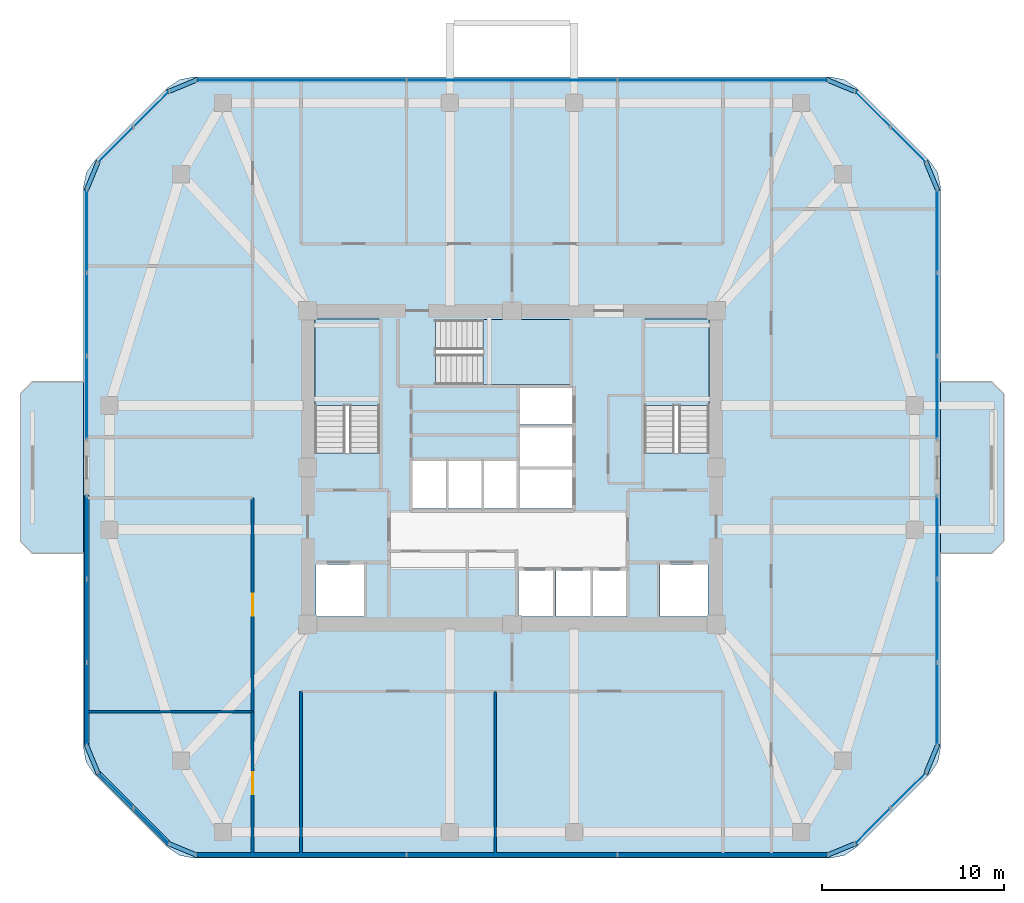
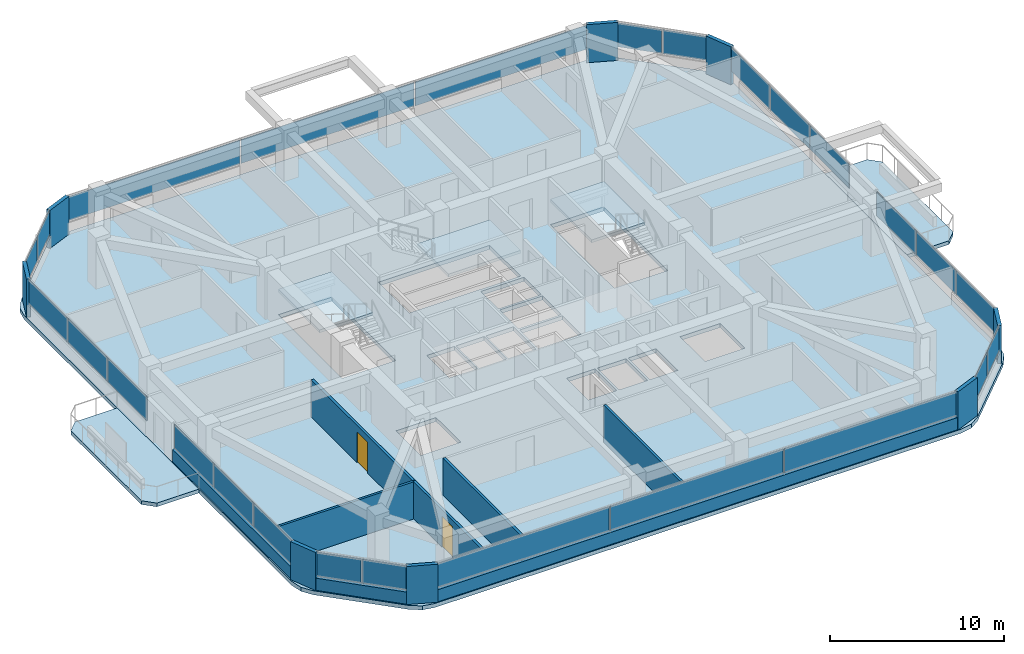
# One storey, part 7 of 12: 34 plates, 8 walls, 6 slabs, 2 doors, 2 openings, 13 elements without a shape of their own.
"""IFC4 building model written with IfcOpenShell, lengths in metres."""

from ifc_helpers import new_model, si_unit, derived_unit, direction, frame, frame_2d, origin, origin_2d, place, context, subcontext, project, spatial, polyline, rectangle, outline, extrude, material, layer, layer_set, type_object, element, fill, aggregate, save


model = new_model("IFC4")

# Units and contexts
model_context = context("Model", 3, precision=1e-05, world=origin(), true_north=direction((0.0, 1.0)))
body_context = subcontext(model_context, "Body", "Model", "MODEL_VIEW")
ifc_project = project(units=[si_unit("LENGTHUNIT", "METRE"), si_unit("AREAUNIT", "SQUARE_METRE"), si_unit("VOLUMEUNIT", "CUBIC_METRE"), si_unit("PLANEANGLEUNIT", "RADIAN"), si_unit("MASSUNIT", "GRAM", prefix="KILO"), derived_unit("THERMALTRANSMITTANCEUNIT", [(si_unit("POWERUNIT", "WATT"), 1), (si_unit("LENGTHUNIT", "METRE"), -2), (si_unit("THERMODYNAMICTEMPERATUREUNIT", "KELVIN"), -1)])], contexts=[model_context])

# Site, building, storey
site_placement = place(None, origin())
site = spatial("IfcSite", under=ifc_project, at=site_placement, CompositionType="ELEMENT")
building_placement = place(site_placement, origin())
building = spatial("IfcBuilding", under=site, at=building_placement, Name="Koralith Skygarden Medical Center", CompositionType="ELEMENT")
storey_placement = place(building_placement, frame((0.0, 0.0, 170.820068359375)))
storey = spatial("IfcBuildingStorey", under=building, at=storey_placement, Name="L44", CompositionType="ELEMENT", Elevation=170.820068359375)

# Curtain wall, plates
ifc_material_1 = material(Name="Clear Laminated Glass", Category="glass")
curtain_wall_type = type_object("IfcCurtainWallType", Name="CW-4 Zone 3 Waist High-Wind Curtain Wall", PredefinedType="NOTDEFINED", material=ifc_material_1)
curtain_wall_1_placement = place(storey_placement, origin())
curtain_wall_1 = element("IfcCurtainWall", 1, at=curtain_wall_1_placement, inside=storey, type_object=curtain_wall_type, Name="Curtain Wall CW-L44-S", PredefinedType="NOTDEFINED")
ifc_layer_1 = layer(ifc_material_1, 0.035888671875)
ifc_layer_set_1 = layer_set([ifc_layer_1], Name="Clear Laminated Glass")
plate_type_1 = type_object("IfcPlateType", Name="CW-4 Hurricane Laminated IGU Panel 36", PredefinedType="CURTAIN_PANEL", material=ifc_layer_set_1)
plate_1_placement = place(storey_placement, frame((25.447021484375, 4.679931640625, 0.919921875), z_axis=(0.0, 0.0, 1.0), x_axis=(1.0, 0.0, 0.0)))
plate_1 = element("IfcPlate", 2, at=plate_1_placement, type_object=plate_type_1, Name="CW-L44-S Glazed Panel 1", PredefinedType="CURTAIN_PANEL", context=body_context, shape_type="SweptSolid", body=[
    extrude(rectangle(XDim=11.462890625, YDim=0.035888671875, at=origin_2d()), origin(), (0.0, 0.0, 1.0), 1.679931640625),
])
plate_2_placement = place(storey_placement, frame((37.0, 4.679931640625, 0.919921875), z_axis=(0.0, 0.0, 1.0), x_axis=(1.0, 0.0, 0.0)))
plate_2 = element("IfcPlate", 3, at=plate_2_placement, type_object=plate_type_1, Name="CW-L44-S Glazed Panel 2", PredefinedType="CURTAIN_PANEL", context=body_context, shape_type="SweptSolid", body=[
    extrude(rectangle(XDim=11.462890625, YDim=0.035888671875, at=origin_2d()), origin(), (0.0, 0.0, 1.0), 1.679931640625),
])
plate_3_placement = place(storey_placement, frame((48.552978515625, 4.679931640625, 0.919921875), z_axis=(0.0, 0.0, 1.0), x_axis=(1.0, 0.0, 0.0)))
plate_3 = element("IfcPlate", 4, at=plate_3_placement, type_object=plate_type_1, Name="CW-L44-S Glazed Panel 3", PredefinedType="CURTAIN_PANEL", context=body_context, shape_type="SweptSolid", body=[
    extrude(rectangle(XDim=11.462890625, YDim=0.035888671875, at=origin_2d()), origin(), (0.0, 0.0, 1.0), 1.679931640625),
])
aggregate(curtain_wall_1, [plate_1, plate_2, plate_3])

curtain_wall_2_placement = place(storey_placement, origin())
curtain_wall_2 = element("IfcCurtainWall", 5, at=curtain_wall_2_placement, inside=storey, type_object=curtain_wall_type, Name="Curtain Wall CW-L44-SE", PredefinedType="NOTDEFINED")
plate_4_placement = place(storey_placement, frame((56.760986328125, 6.261962890625, 0.919921875), z_axis=(0.0, 0.0, 1.0), x_axis=(0.707106781187, 0.707106781187, 0.0)))
plate_4 = element("IfcPlate", 6, at=plate_4_placement, type_object=plate_type_1, Name="CW-L44-SE Glazed Panel 1", PredefinedType="CURTAIN_PANEL", context=body_context, shape_type="SweptSolid", body=[
    extrude(rectangle(XDim=2.68408203125, YDim=0.035888671875, at=origin_2d()), origin(), (0.0, 0.0, 1.0), 1.679931640625),
])
plate_5_placement = place(storey_placement, frame((58.721923828125, 8.222900390625, 0.919921875), z_axis=(0.0, 0.0, 1.0), x_axis=(0.707106781187, 0.707106781187, 0.0)))
plate_5 = element("IfcPlate", 7, at=plate_5_placement, type_object=plate_type_1, Name="CW-L44-SE Glazed Panel 2", PredefinedType="CURTAIN_PANEL", context=body_context, shape_type="SweptSolid", body=[
    extrude(rectangle(XDim=2.68408203125, YDim=0.035888671875, at=origin_2d()), origin(), (0.0, 0.0, 1.0), 1.679931640625),
])
aggregate(curtain_wall_2, [plate_4, plate_5])

curtain_wall_3_placement = place(storey_placement, origin())
curtain_wall_3 = element("IfcCurtainWall", 8, at=curtain_wall_3_placement, inside=storey, type_object=curtain_wall_type, Name="Curtain Wall CW-L44-E-L", PredefinedType="NOTDEFINED")
plate_6_placement = place(storey_placement, frame((60.303955078125, 12.93896484375, 0.919921875), z_axis=(0.0, 0.0, 1.0), x_axis=(0.0, 1.0, 0.0)))
plate_6 = element("IfcPlate", 9, at=plate_6_placement, type_object=plate_type_1, Name="CW-L44-E-L Glazed Panel 1", PredefinedType="CURTAIN_PANEL", context=body_context, shape_type="SweptSolid", body=[
    extrude(rectangle(XDim=4.47802734375, YDim=0.035888671875, at=origin_2d()), origin(), (0.0, 0.0, 1.0), 1.679931640625),
])
plate_7_placement = place(storey_placement, frame((60.303955078125, 17.508056640625, 0.919921875), z_axis=(0.0, 0.0, 1.0), x_axis=(0.0, 1.0, 0.0)))
plate_7 = element("IfcPlate", 10, at=plate_7_placement, type_object=plate_type_1, Name="CW-L44-E-L Glazed Panel 2", PredefinedType="CURTAIN_PANEL", context=body_context, shape_type="SweptSolid", body=[
    extrude(rectangle(XDim=4.47802734375, YDim=0.035888671875, at=origin_2d()), origin(), (0.0, 0.0, 1.0), 1.679931640625),
])
plate_8_placement = place(storey_placement, frame((60.303955078125, 22.075927734375, 0.919921875), z_axis=(0.0, 0.0, 1.0), x_axis=(0.0, 1.0, 0.0)))
plate_8 = element("IfcPlate", 11, at=plate_8_placement, type_object=plate_type_1, Name="CW-L44-E-L Glazed Panel 3", PredefinedType="CURTAIN_PANEL", context=body_context, shape_type="SweptSolid", body=[
    extrude(rectangle(XDim=4.47802734375, YDim=0.035888671875, at=origin_2d()), origin(), (0.0, 0.0, 1.0), 1.679931640625),
])
aggregate(curtain_wall_3, [plate_6, plate_7, plate_8])

curtain_wall_4_placement = place(storey_placement, origin())
curtain_wall_4 = element("IfcCurtainWall", 12, at=curtain_wall_4_placement, inside=storey, type_object=curtain_wall_type, Name="Curtain Wall CW-L44-E-R", PredefinedType="NOTDEFINED")
plate_9_placement = place(storey_placement, frame((60.303955078125, 29.72412109375, 0.919921875), z_axis=(0.0, 0.0, 1.0), x_axis=(0.0, 1.0, 0.0)))
plate_9 = element("IfcPlate", 13, at=plate_9_placement, type_object=plate_type_1, Name="CW-L44-E-R Glazed Panel 1", PredefinedType="CURTAIN_PANEL", context=body_context, shape_type="SweptSolid", body=[
    extrude(rectangle(XDim=4.47802734375, YDim=0.035888671875, at=origin_2d()), origin(), (0.0, 0.0, 1.0), 1.679931640625),
])
plate_10_placement = place(storey_placement, frame((60.303955078125, 34.29296875, 0.919921875), z_axis=(0.0, 0.0, 1.0), x_axis=(0.0, 1.0, 0.0)))
plate_10 = element("IfcPlate", 14, at=plate_10_placement, type_object=plate_type_1, Name="CW-L44-E-R Glazed Panel 2", PredefinedType="CURTAIN_PANEL", context=body_context, shape_type="SweptSolid", body=[
    extrude(rectangle(XDim=4.47802734375, YDim=0.035888671875, at=origin_2d()), origin(), (0.0, 0.0, 1.0), 1.679931640625),
])
plate_11_placement = place(storey_placement, frame((60.303955078125, 38.861083984375, 0.919921875), z_axis=(0.0, 0.0, 1.0), x_axis=(0.0, 1.0, 0.0)))
plate_11 = element("IfcPlate", 15, at=plate_11_placement, type_object=plate_type_1, Name="CW-L44-E-R Glazed Panel 3", PredefinedType="CURTAIN_PANEL", context=body_context, shape_type="SweptSolid", body=[
    extrude(rectangle(XDim=4.47802734375, YDim=0.035888671875, at=origin_2d()), origin(), (0.0, 0.0, 1.0), 1.679931640625),
])
aggregate(curtain_wall_4, [plate_9, plate_10, plate_11])

curtain_wall_5_placement = place(storey_placement, origin())
curtain_wall_5 = element("IfcCurtainWall", 16, at=curtain_wall_5_placement, inside=storey, type_object=curtain_wall_type, Name="Curtain Wall CW-L44-NE", PredefinedType="NOTDEFINED")
plate_12_placement = place(storey_placement, frame((58.721923828125, 43.576904296875, 0.919921875), z_axis=(0.0, 0.0, 1.0), x_axis=(-0.707106781187, 0.707106781187, 0.0)))
plate_12 = element("IfcPlate", 17, at=plate_12_placement, type_object=plate_type_1, Name="CW-L44-NE Glazed Panel 1", PredefinedType="CURTAIN_PANEL", context=body_context, shape_type="SweptSolid", body=[
    extrude(rectangle(XDim=2.68408203125, YDim=0.035888671875, at=origin_2d()), origin(), (0.0, 0.0, 1.0), 1.679931640625),
])
plate_13_placement = place(storey_placement, frame((56.760986328125, 45.5380859375, 0.919921875), z_axis=(0.0, 0.0, 1.0), x_axis=(-0.707106781187, 0.707106781187, 0.0)))
plate_13 = element("IfcPlate", 18, at=plate_13_placement, type_object=plate_type_1, Name="CW-L44-NE Glazed Panel 2", PredefinedType="CURTAIN_PANEL", context=body_context, shape_type="SweptSolid", body=[
    extrude(rectangle(XDim=2.68408203125, YDim=0.035888671875, at=origin_2d()), origin(), (0.0, 0.0, 1.0), 1.679931640625),
])
aggregate(curtain_wall_5, [plate_12, plate_13])

curtain_wall_6_placement = place(storey_placement, origin())
curtain_wall_6 = element("IfcCurtainWall", 19, at=curtain_wall_6_placement, inside=storey, type_object=curtain_wall_type, Name="Curtain Wall CW-L44-N", PredefinedType="NOTDEFINED")
plate_14_placement = place(storey_placement, frame((48.552978515625, 47.1201171875, 0.919921875), z_axis=(0.0, 0.0, 1.0), x_axis=(-1.0, 0.0, 0.0)))
plate_14 = element("IfcPlate", 20, at=plate_14_placement, type_object=plate_type_1, Name="CW-L44-N Glazed Panel 1", PredefinedType="CURTAIN_PANEL", context=body_context, shape_type="SweptSolid", body=[
    extrude(rectangle(XDim=11.462890625, YDim=0.035888671875, at=origin_2d()), origin(), (0.0, 0.0, 1.0), 1.679931640625),
])
plate_15_placement = place(storey_placement, frame((37.0, 47.1201171875, 0.919921875), z_axis=(0.0, 0.0, 1.0), x_axis=(-1.0, 0.0, 0.0)))
plate_15 = element("IfcPlate", 21, at=plate_15_placement, type_object=plate_type_1, Name="CW-L44-N Glazed Panel 2", PredefinedType="CURTAIN_PANEL", context=body_context, shape_type="SweptSolid", body=[
    extrude(rectangle(XDim=11.462890625, YDim=0.035888671875, at=origin_2d()), origin(), (0.0, 0.0, 1.0), 1.679931640625),
])
plate_16_placement = place(storey_placement, frame((25.447021484375, 47.1201171875, 0.919921875), z_axis=(0.0, 0.0, 1.0), x_axis=(-1.0, 0.0, 0.0)))
plate_16 = element("IfcPlate", 22, at=plate_16_placement, type_object=plate_type_1, Name="CW-L44-N Glazed Panel 3", PredefinedType="CURTAIN_PANEL", context=body_context, shape_type="SweptSolid", body=[
    extrude(rectangle(XDim=11.462890625, YDim=0.035888671875, at=origin_2d()), origin(), (0.0, 0.0, 1.0), 1.679931640625),
])
aggregate(curtain_wall_6, [plate_14, plate_15, plate_16])

curtain_wall_7_placement = place(storey_placement, origin())
curtain_wall_7 = element("IfcCurtainWall", 23, at=curtain_wall_7_placement, inside=storey, type_object=curtain_wall_type, Name="Curtain Wall CW-L44-NW", PredefinedType="NOTDEFINED")
plate_17_placement = place(storey_placement, frame((17.239013671875, 45.5380859375, 0.919921875), z_axis=(0.0, 0.0, 1.0), x_axis=(-0.707106781187, -0.707106781187, 0.0)))
plate_17 = element("IfcPlate", 24, at=plate_17_placement, type_object=plate_type_1, Name="CW-L44-NW Glazed Panel 1", PredefinedType="CURTAIN_PANEL", context=body_context, shape_type="SweptSolid", body=[
    extrude(rectangle(XDim=2.68408203125, YDim=0.035888671875, at=origin_2d()), origin(), (0.0, 0.0, 1.0), 1.679931640625),
])
plate_18_placement = place(storey_placement, frame((15.278076171875, 43.576904296875, 0.919921875), z_axis=(0.0, 0.0, 1.0), x_axis=(-0.707106781187, -0.707106781187, 0.0)))
plate_18 = element("IfcPlate", 25, at=plate_18_placement, type_object=plate_type_1, Name="CW-L44-NW Glazed Panel 2", PredefinedType="CURTAIN_PANEL", context=body_context, shape_type="SweptSolid", body=[
    extrude(rectangle(XDim=2.68408203125, YDim=0.035888671875, at=origin_2d()), origin(), (0.0, 0.0, 1.0), 1.679931640625),
])
aggregate(curtain_wall_7, [plate_17, plate_18])

curtain_wall_8_placement = place(storey_placement, origin())
curtain_wall_8 = element("IfcCurtainWall", 26, at=curtain_wall_8_placement, inside=storey, type_object=curtain_wall_type, Name="Curtain Wall CW-L44-W-L", PredefinedType="NOTDEFINED")
plate_19_placement = place(storey_placement, frame((13.696044921875, 38.861083984375, 0.919921875), z_axis=(0.0, 0.0, 1.0), x_axis=(0.0, -1.0, 0.0)))
plate_19 = element("IfcPlate", 27, at=plate_19_placement, type_object=plate_type_1, Name="CW-L44-W-L Glazed Panel 1", PredefinedType="CURTAIN_PANEL", context=body_context, shape_type="SweptSolid", body=[
    extrude(rectangle(XDim=4.47802734375, YDim=0.035888671875, at=origin_2d()), origin(), (0.0, 0.0, 1.0), 1.679931640625),
])
plate_20_placement = place(storey_placement, frame((13.696044921875, 34.29296875, 0.919921875), z_axis=(0.0, 0.0, 1.0), x_axis=(0.0, -1.0, 0.0)))
plate_20 = element("IfcPlate", 28, at=plate_20_placement, type_object=plate_type_1, Name="CW-L44-W-L Glazed Panel 2", PredefinedType="CURTAIN_PANEL", context=body_context, shape_type="SweptSolid", body=[
    extrude(rectangle(XDim=4.47802734375, YDim=0.035888671875, at=origin_2d()), origin(), (0.0, 0.0, 1.0), 1.679931640625),
])
plate_21_placement = place(storey_placement, frame((13.696044921875, 29.72412109375, 0.919921875), z_axis=(0.0, 0.0, 1.0), x_axis=(0.0, -1.0, 0.0)))
plate_21 = element("IfcPlate", 29, at=plate_21_placement, type_object=plate_type_1, Name="CW-L44-W-L Glazed Panel 3", PredefinedType="CURTAIN_PANEL", context=body_context, shape_type="SweptSolid", body=[
    extrude(rectangle(XDim=4.47802734375, YDim=0.035888671875, at=origin_2d()), origin(), (0.0, 0.0, 1.0), 1.679931640625),
])
aggregate(curtain_wall_8, [plate_19, plate_20, plate_21])

curtain_wall_9_placement = place(storey_placement, origin())
curtain_wall_9 = element("IfcCurtainWall", 30, at=curtain_wall_9_placement, inside=storey, type_object=curtain_wall_type, Name="Curtain Wall CW-L44-W-R", PredefinedType="NOTDEFINED")
plate_22_placement = place(storey_placement, frame((13.696044921875, 22.075927734375, 0.919921875), z_axis=(0.0, 0.0, 1.0), x_axis=(0.0, -1.0, 0.0)))
plate_22 = element("IfcPlate", 31, at=plate_22_placement, type_object=plate_type_1, Name="CW-L44-W-R Glazed Panel 1", PredefinedType="CURTAIN_PANEL", context=body_context, shape_type="SweptSolid", body=[
    extrude(rectangle(XDim=4.47802734375, YDim=0.035888671875, at=origin_2d()), origin(), (0.0, 0.0, 1.0), 1.679931640625),
])
plate_23_placement = place(storey_placement, frame((13.696044921875, 17.508056640625, 0.919921875), z_axis=(0.0, 0.0, 1.0), x_axis=(0.0, -1.0, 0.0)))
plate_23 = element("IfcPlate", 32, at=plate_23_placement, type_object=plate_type_1, Name="CW-L44-W-R Glazed Panel 2", PredefinedType="CURTAIN_PANEL", context=body_context, shape_type="SweptSolid", body=[
    extrude(rectangle(XDim=4.47802734375, YDim=0.035888671875, at=origin_2d()), origin(), (0.0, 0.0, 1.0), 1.679931640625),
])
plate_24_placement = place(storey_placement, frame((13.696044921875, 12.93896484375, 0.919921875), z_axis=(0.0, 0.0, 1.0), x_axis=(0.0, -1.0, 0.0)))
plate_24 = element("IfcPlate", 33, at=plate_24_placement, type_object=plate_type_1, Name="CW-L44-W-R Glazed Panel 3", PredefinedType="CURTAIN_PANEL", context=body_context, shape_type="SweptSolid", body=[
    extrude(rectangle(XDim=4.47802734375, YDim=0.035888671875, at=origin_2d()), origin(), (0.0, 0.0, 1.0), 1.679931640625),
])
aggregate(curtain_wall_9, [plate_22, plate_23, plate_24])

curtain_wall_10_placement = place(storey_placement, origin())
curtain_wall_10 = element("IfcCurtainWall", 34, at=curtain_wall_10_placement, inside=storey, type_object=curtain_wall_type, Name="Curtain Wall CW-L44-SW", PredefinedType="NOTDEFINED")
plate_25_placement = place(storey_placement, frame((15.278076171875, 8.222900390625, 0.919921875), z_axis=(0.0, 0.0, 1.0), x_axis=(0.707106781187, -0.707106781187, 0.0)))
plate_25 = element("IfcPlate", 35, at=plate_25_placement, type_object=plate_type_1, Name="CW-L44-SW Glazed Panel 1", PredefinedType="CURTAIN_PANEL", context=body_context, shape_type="SweptSolid", body=[
    extrude(rectangle(XDim=2.68408203125, YDim=0.035888671875, at=origin_2d()), origin(), (0.0, 0.0, 1.0), 1.679931640625),
])
plate_26_placement = place(storey_placement, frame((17.239013671875, 6.261962890625, 0.919921875), z_axis=(0.0, 0.0, 1.0), x_axis=(0.707106781187, -0.707106781187, 0.0)))
plate_26 = element("IfcPlate", 36, at=plate_26_placement, type_object=plate_type_1, Name="CW-L44-SW Glazed Panel 2", PredefinedType="CURTAIN_PANEL", context=body_context, shape_type="SweptSolid", body=[
    extrude(rectangle(XDim=2.68408203125, YDim=0.035888671875, at=origin_2d()), origin(), (0.0, 0.0, 1.0), 1.679931640625),
])
aggregate(curtain_wall_10, [plate_25, plate_26])

# Slabs
ifc_material_2 = material(Name="Concrete C45/55", Category="concrete")
ifc_layer_2 = layer(ifc_material_2, 0.260009765625)
ifc_layer_set_2 = layer_set([ifc_layer_2], Name="Concrete C45/55")
slab_type_1 = type_object("IfcSlabType", Name="Cantilevered Planted Balcony Slab 260", PredefinedType="FLOOR", material=ifc_layer_set_2)
slab_1_placement = place(storey_placement, frame((0.0, 0.0, -0.260009765625)))
element("IfcSlab", 37, at=slab_1_placement, inside=storey, type_object=slab_type_1, Name="L44 E Planted Sky-Garden Balcony Slab", PredefinedType="FLOOR", context=body_context, shape_type="SweptSolid", body=[
    extrude(outline(polyline([(60.48388671875, 21.199951171875), (63.283935546875, 21.199951171875), (63.93408203125, 21.85009765625), (63.93408203125, 29.949951171875), (63.283935546875, 30.60009765625), (60.48388671875, 30.60009765625), (60.48388671875, 21.199951171875)])), origin(), (0.0, 0.0, 1.0), 0.260009765625),
])
slab_2_placement = place(storey_placement, frame((0.0, 0.0, -0.260009765625)))
element("IfcSlab", 38, at=slab_2_placement, inside=storey, type_object=slab_type_1, Name="L44 W Planted Sky-Garden Balcony Slab", PredefinedType="FLOOR", context=body_context, shape_type="SweptSolid", body=[
    extrude(outline(polyline([(10.716064453125, 21.199951171875), (13.51611328125, 21.199951171875), (13.51611328125, 30.60009765625), (10.716064453125, 30.60009765625), (10.06591796875, 29.949951171875), (10.06591796875, 21.85009765625), (10.716064453125, 21.199951171875)])), origin(), (0.0, 0.0, 1.0), 0.260009765625),
])

# Stair, slab
stair_type = type_object("IfcStairType", Name="Core Exit Dogleg Concrete Stair", PredefinedType="HALF_TURN_STAIR", material=ifc_material_2)
stair_1_placement = place(storey_placement, origin())
stair_1 = element("IfcStair", 39, at=stair_1_placement, inside=storey, type_object=stair_type, Name="L44 Smokeproof Exit Stair ST1", PredefinedType="HALF_TURN_STAIR")
ifc_layer_3 = layer(ifc_material_2, 0.199951171875)
ifc_layer_set_3 = layer_set([ifc_layer_3], Name="Concrete C45/55")
slab_type_2 = type_object("IfcSlabType", Name="Core Exit Concrete Stair Landing 200", PredefinedType="LANDING", material=ifc_layer_set_3)
slab_3_placement = place(storey_placement, frame((0.0, 0.0, 1.599853515625)))
slab_3 = element("IfcSlab", 40, at=slab_3_placement, type_object=slab_type_2, Name="ST1 landing 1", PredefinedType="LANDING", context=body_context, shape_type="SweptSolid", body=[
    extrude(outline(polyline([(29.75, 29.31005859375), (29.75, 34.050048828125), (26.199951171875, 34.050048828125), (26.199951171875, 29.31005859375), (29.75, 29.31005859375)])), origin(), (0.0, 0.0, 1.0), 0.2001953125),
])
aggregate(stair_1, [slab_3])

stair_2_placement = place(storey_placement, origin())
stair_2 = element("IfcStair", 41, at=stair_2_placement, inside=storey, type_object=stair_type, Name="L44 Smokeproof Exit Stair ST2", PredefinedType="HALF_TURN_STAIR")
slab_4_placement = place(storey_placement, frame((0.0, 0.0, 1.599853515625)))
slab_4 = element("IfcSlab", 42, at=slab_4_placement, type_object=slab_type_2, Name="ST2 landing 1", PredefinedType="LANDING", context=body_context, shape_type="SweptSolid", body=[
    extrude(outline(polyline([(47.800048828125, 29.31005859375), (47.800048828125, 34.050048828125), (44.25, 34.050048828125), (44.25, 29.31005859375), (47.800048828125, 29.31005859375)])), origin(), (0.0, 0.0, 1.0), 0.2001953125),
])
aggregate(stair_2, [slab_4])

stair_3_placement = place(storey_placement, origin())
stair_3 = element("IfcStair", 43, at=stair_3_placement, inside=storey, type_object=stair_type, Name="L44 Smokeproof Exit Stair ST3", PredefinedType="HALF_TURN_STAIR")
slab_5_placement = place(storey_placement, frame((0.0, 0.0, 1.599853515625)))
slab_5 = element("IfcSlab", 44, at=slab_5_placement, type_object=slab_type_2, Name="ST3 landing 1", PredefinedType="LANDING", context=body_context, shape_type="SweptSolid", body=[
    extrude(outline(polyline([(35.409912109375, 30.449951171875), (40.199951171875, 30.449951171875), (40.199951171875, 34.0), (35.409912109375, 34.0), (35.409912109375, 30.449951171875)])), origin(), (0.0, 0.0, 1.0), 0.2001953125),
])
aggregate(stair_3, [slab_5])

# Slab
ifc_layer_4 = layer(ifc_material_2, 0.280029296875)
ifc_layer_set_4 = layer_set([ifc_layer_4], Name="Concrete C45/55")
slab_type_3 = type_object("IfcSlabType", Name="Post-Tensioned Ward Floor Plate 280", PredefinedType="FLOOR", material=ifc_layer_set_4)
slab_6_placement = place(storey_placement, frame((0.0, 0.0, -0.280029296875)))
element("IfcSlab", 45, at=slab_6_placement, inside=storey, type_object=slab_type_3, Name="Level L44 Structural Floor Slab", PredefinedType="FLOOR", context=body_context, shape_type="SweptSolid", body=[
    extrude(outline(polyline([(18.1298828125, 5.0859375), (18.779052734375, 4.652099609375), (19.5439453125, 4.5), (54.4560546875, 4.5), (55.220947265625, 4.652099609375), (55.8701171875, 5.0859375), (59.89794921875, 9.114013671875), (60.33203125, 9.762939453125), (60.48388671875, 10.528076171875), (60.48388671875, 41.27197265625), (60.33203125, 42.037109375), (59.89794921875, 42.68603515625), (55.8701171875, 46.714111328125), (55.220947265625, 47.14794921875), (54.4560546875, 47.300048828125), (19.5439453125, 47.300048828125), (18.779052734375, 47.14794921875), (18.1298828125, 46.714111328125), (14.10205078125, 42.68603515625), (13.66796875, 42.037109375), (13.51611328125, 41.27197265625), (13.51611328125, 10.528076171875), (13.66796875, 9.762939453125), (14.10205078125, 9.114013671875), (18.1298828125, 5.0859375)]), holes=[polyline([(26.199951171875, 26.705078125), (29.75, 26.705078125), (29.75, 34.050048828125), (26.199951171875, 34.050048828125), (26.199951171875, 26.705078125)]), polyline([(44.25, 26.705078125), (47.800048828125, 26.705078125), (47.800048828125, 34.050048828125), (44.25, 34.050048828125), (44.25, 26.705078125)]), polyline([(32.804931640625, 30.449951171875), (40.199951171875, 30.449951171875), (40.199951171875, 34.0), (32.804931640625, 34.0), (32.804931640625, 30.449951171875)]), polyline([(26.25, 17.75), (28.89990234375, 17.75), (28.89990234375, 20.60009765625), (26.25, 20.60009765625), (26.25, 17.75)]), polyline([(45.10009765625, 17.75), (47.75, 17.75), (47.75, 20.60009765625), (45.10009765625, 20.60009765625), (45.10009765625, 17.75)]), polyline([(37.35009765625, 17.75), (39.25, 17.75), (39.25, 20.25), (37.35009765625, 20.25), (37.35009765625, 17.75)]), polyline([(39.39990234375, 17.75), (41.300048828125, 17.75), (41.300048828125, 20.25), (39.39990234375, 20.25), (39.39990234375, 17.75)]), polyline([(41.449951171875, 17.75), (43.300048828125, 17.75), (43.300048828125, 20.25), (41.449951171875, 20.25), (41.449951171875, 17.75)]), polyline([(31.550048828125, 23.64990234375), (33.39990234375, 23.64990234375), (33.39990234375, 26.25), (31.550048828125, 26.25), (31.550048828125, 23.64990234375)]), polyline([(33.5, 23.64990234375), (35.35009765625, 23.64990234375), (35.35009765625, 26.25), (33.5, 26.25), (33.5, 23.64990234375)]), polyline([(35.449951171875, 23.64990234375), (37.300048828125, 23.64990234375), (37.300048828125, 26.25), (35.449951171875, 26.25), (35.449951171875, 23.64990234375)]), polyline([(37.449951171875, 23.64990234375), (40.300048828125, 23.64990234375), (40.300048828125, 25.800048828125), (37.449951171875, 25.800048828125), (37.449951171875, 23.64990234375)]), polyline([(37.449951171875, 25.949951171875), (40.300048828125, 25.949951171875), (40.300048828125, 28.10009765625), (37.449951171875, 28.10009765625), (37.449951171875, 25.949951171875)]), polyline([(37.449951171875, 28.25), (40.300048828125, 28.25), (40.300048828125, 30.25), (37.449951171875, 30.25), (37.449951171875, 28.25)])]), origin(), (0.0, 0.0, 1.0), 0.280029296875),
])

# Plates
ifc_material_3 = material(Name="Warm Oolitic Limestone Cladding", Category="masonry")
ifc_layer_5 = layer(ifc_material_3, 0.239990234375)
ifc_layer_set_5 = layer_set([ifc_layer_5], Name="Warm Oolitic Limestone Cladding")
plate_type_2 = type_object("IfcPlateType", Name="Rounded-Corner Oolitic Limestone Cladding Panel 240", PredefinedType="USERDEFINED", material=ifc_layer_set_5)
for number, where, z_axis, x_axis, name in (
    (46, (55.054931640625, 4.97998046875, 0.0), (0.0, 0.0, 1.0), (0.92388487569, 0.382670532536, 0.0), "L44 Rounded-Corner Limestone Pier 1"),
    (47, (60.00390625, 9.929931640625, 0.0), (0.0, 0.0, 1.0), (0.382670532536, 0.92388487569, 0.0), "L44 Rounded-Corner Limestone Pier 2"),
    (48, (60.00390625, 41.8701171875, 0.0), (0.0, 0.0, 1.0), (-0.382670532536, 0.92388487569, 0.0), "L44 Rounded-Corner Limestone Pier 3"),
    (49, (55.054931640625, 46.819091796875, 0.0), (0.0, 0.0, 1.0), (-0.92388487569, 0.382670532536, 0.0), "L44 Rounded-Corner Limestone Pier 4"),
    (50, (18.945068359375, 46.819091796875, 0.0), (0.0, 0.0, 1.0), (-0.92388487569, -0.382670532536, 0.0), "L44 Rounded-Corner Limestone Pier 5"),
    (51, (13.9970703125, 41.8701171875, 0.0), (0.0, 0.0, 1.0), (-0.382670532536, -0.92388487569, 0.0), "L44 Rounded-Corner Limestone Pier 6"),
    (52, (13.9970703125, 9.929931640625, 0.0), (0.0, 0.0, 1.0), (0.382670532536, -0.92388487569, 0.0), "L44 Rounded-Corner Limestone Pier 7"),
    (53, (18.945068359375, 4.97998046875, 0.0), (0.0, 0.0, 1.0), (0.92388487569, -0.382670532536, 0.0), "L44 Rounded-Corner Limestone Pier 8"),
):
    element("IfcPlate", number, at=place(storey_placement, frame(where, z_axis=z_axis, x_axis=x_axis)), inside=storey, type_object=plate_type_2, Name=name, ObjectType="LIMESTONE CLADDING", PredefinedType="USERDEFINED", context=body_context, shape_type="SweptSolid", body=[
        extrude(rectangle(XDim=1.81103515625, YDim=0.239990234375, at=origin_2d()), origin(), (0.0, 0.0, 1.0), 2.669921875),
    ])

# Walls
ifc_material_4 = material(Name="Gypsum Board Partition")
ifc_layer_6 = layer(ifc_material_4, 0.14990234375)
ifc_layer_set_6 = layer_set([ifc_layer_6], Name="Gypsum Board Partition")
wall_type_1 = type_object("IfcWallType", Name="Clinical Acoustic Partition 150", PredefinedType="PARTITIONING", material=ifc_layer_set_6)
wall_1_placement = place(storey_placement, frame((36.074951171875, 13.639892578125, 0.0), z_axis=(0.0, 0.0, 1.0), x_axis=(0.0, -1.0, 0.0)))
element("IfcWall", 54, at=wall_1_placement, inside=storey, type_object=wall_type_1, Name="L44 Clinical Acoustic Partition 150 W-PART-L44-S-01", PredefinedType="PARTITIONING", context=body_context, shape_type="SweptSolid", body=[
    extrude(rectangle(XDim=8.93994140625, YDim=0.14990234375, at=frame_2d((4.469970703125, 0.0))), origin(), (0.0, 0.0, 1.0), 2.60986328125),
])
wall_2_placement = place(storey_placement, frame((22.7900390625, 12.51611328125, 0.0), z_axis=(0.0, 0.0, 1.0), x_axis=(-1.0, 0.0, 0.0)))
element("IfcWall", 55, at=wall_2_placement, inside=storey, type_object=wall_type_1, Name="L44 Clinical Acoustic Partition 150 W-PART-L44-WS-01", PredefinedType="PARTITIONING", context=body_context, shape_type="SweptSolid", body=[
    extrude(rectangle(XDim=9.073974609375, YDim=0.14990234375, at=frame_2d((4.537109375, 0.0))), origin(), (0.0, 0.0, 1.0), 2.60986328125),
])
ifc_layer_7 = layer(ifc_material_4, 0.1650390625)
ifc_layer_set_7 = layer_set([ifc_layer_7], Name="Gypsum Board Partition")
wall_type_2 = type_object("IfcWallType", Name="Clinical Corridor Partition 165", PredefinedType="PARTITIONING", material=ifc_layer_set_7)
wall_3_placement = place(storey_placement, frame((25.429931640625, 4.699951171875, 0.0), z_axis=(0.0, 0.0, 1.0), x_axis=(0.0, 1.0, 0.0)))
element("IfcWall", 56, at=wall_3_placement, inside=storey, type_object=wall_type_2, Name="L44 Clinical Corridor Partition 165 W-HCOR-L44-SW", PredefinedType="PARTITIONING", context=body_context, shape_type="SweptSolid", body=[
    extrude(rectangle(XDim=8.93994140625, YDim=0.1650390625, at=frame_2d((4.469970703125, 0.0))), origin(), (0.0, 0.0, 1.0), 2.60986328125),
])

# Wall, opening, door
wall_4_placement = place(storey_placement, frame((22.7900390625, 4.699951171875, 0.0), z_axis=(0.0, 0.0, 1.0), x_axis=(0.0, 1.0, 0.0)))
wall_4 = element("IfcWall", 57, at=wall_4_placement, inside=storey, type_object=wall_type_2, Name="L44 Clinical Corridor Partition 165 W-CORR-L44-WS-01", PredefinedType="PARTITIONING", context=body_context, shape_type="SweptSolid", body=[
    extrude(rectangle(XDim=7.816162109375, YDim=0.1650390625, at=frame_2d((3.908203125, 0.0))), origin(), (0.0, 0.0, 1.0), 2.60986328125),
])
opening_1_placement = place(wall_4_placement, frame((3.30810546875, 0.0, 0.0)))
opening_1 = element("IfcOpeningElement", 58, at=opening_1_placement, cuts=wall_4, Name="Opening D-CLN", PredefinedType="OPENING", context=body_context, shape_type="SweptSolid", body=[
    extrude(rectangle(XDim=1.199951171875, YDim=2.14990234375, at=frame_2d((0.60009765625, 1.074951171875))), frame((0.0, 0.092529296875, 0.0), z_axis=(0.0, -1.0, 0.0), x_axis=(1.0, 0.0, 0.0)), (0.0, 0.0, 1.0), 0.18505859375),
])
ifc_material_5 = material(Name="Aluminium 6063-T6", Category="aluminium")
door_type = type_object("IfcDoorType", Name="Clinical Corridor Door D-CLN 1200", OperationType="NOTDEFINED", PredefinedType="DOOR", material=ifc_material_5)
door_1_placement = place(opening_1_placement, frame((1.199951171875, 0.0, 0.0), z_axis=(0.0, 0.0, 1.0), x_axis=(-1.0, 0.0, 0.0)))
door_1 = element("IfcDoor", 59, at=door_1_placement, inside=storey, type_object=door_type, Name="L44 Physiatry Consult Office 07 Door", OperationType="SINGLE_SWING_RIGHT", OverallHeight=2.14990234375, OverallWidth=1.199951171875, PredefinedType="DOOR", context=body_context, shape_type="SweptSolid", body=[
    extrude(rectangle(XDim=1.199951171875, YDim=2.14990234375, at=frame_2d((0.60009765625, 1.074951171875))), frame((0.0, 0.02490234375, 0.0), z_axis=(0.0, -1.0, 0.0), x_axis=(1.0, 0.0, 0.0)), (0.0, 0.0, 1.0), 0.050048828125),
])
fill(opening_1, door_1)

wall_5_placement = place(storey_placement, frame((22.7900390625, 12.51611328125, 0.0), z_axis=(0.0, 0.0, 1.0), x_axis=(0.0, 1.0, 0.0)))
wall_5 = element("IfcWall", 60, at=wall_5_placement, inside=storey, type_object=wall_type_2, Name="L44 Clinical Corridor Partition 165 W-CORR-L44-WS-02", PredefinedType="PARTITIONING", context=body_context, shape_type="SweptSolid", body=[
    extrude(rectangle(XDim=11.723876953125, YDim=0.1650390625, at=frame_2d((5.86181640625, 0.0))), origin(), (0.0, 0.0, 1.0), 2.60986328125),
])
opening_2_placement = place(wall_5_placement, frame((5.261962890625, 0.0, 0.0)))
opening_2 = element("IfcOpeningElement", 61, at=opening_2_placement, cuts=wall_5, Name="Opening D-CLN", PredefinedType="OPENING", context=body_context, shape_type="SweptSolid", body=[
    extrude(rectangle(XDim=1.199951171875, YDim=2.14990234375, at=frame_2d((0.60009765625, 1.074951171875))), frame((0.0, 0.092529296875, 0.0), z_axis=(0.0, -1.0, 0.0), x_axis=(1.0, 0.0, 0.0)), (0.0, 0.0, 1.0), 0.18505859375),
])
door_2_placement = place(opening_2_placement, frame((1.199951171875, 0.0, 0.0), z_axis=(0.0, 0.0, 1.0), x_axis=(-1.0, 0.0, 0.0)))
door_2 = element("IfcDoor", 62, at=door_2_placement, inside=storey, type_object=door_type, Name="L44 Clinical Consultation Office 08 Door", OperationType="SINGLE_SWING_LEFT", OverallHeight=2.14990234375, OverallWidth=1.199951171875, PredefinedType="DOOR", context=body_context, shape_type="SweptSolid", body=[
    extrude(rectangle(XDim=1.199951171875, YDim=2.14990234375, at=frame_2d((0.60009765625, 1.074951171875))), frame((0.0, 0.02490234375, 0.0), z_axis=(0.0, -1.0, 0.0), x_axis=(1.0, 0.0, 0.0)), (0.0, 0.0, 1.0), 0.050048828125),
])
fill(opening_2, door_2)

# Walls
ifc_layer_8 = layer(ifc_material_3, 0.239990234375)
ifc_layer_set_8 = layer_set([ifc_layer_8], Name="Warm Oolitic Limestone Cladding")
wall_type_3 = type_object("IfcWallType", Name="Limestone Spandrel Sill Backup Wall 240", PredefinedType="SOLIDWALL", material=ifc_layer_set_8)
wall_6_placement = place(storey_placement, frame((19.6708984375, 4.679931640625, 0.0), z_axis=(0.0, 0.0, 1.0), x_axis=(1.0, 0.0, 0.0)))
element("IfcWall", 63, at=wall_6_placement, inside=storey, type_object=wall_type_3, Name="L44 Sill Spandrel S", PredefinedType="SOLIDWALL", context=body_context, shape_type="SweptSolid", body=[
    extrude(rectangle(XDim=34.658203125, YDim=0.239990234375, at=frame_2d((17.3291015625, 0.0))), origin(), (0.0, 0.0, 1.0), 0.849853515625),
])
wall_7_placement = place(storey_placement, frame((13.696044921875, 24.360107421875, 0.0), z_axis=(0.0, 0.0, 1.0), x_axis=(0.0, -1.0, 0.0)))
element("IfcWall", 64, at=wall_7_placement, inside=storey, type_object=wall_type_3, Name="L44 Sill Spandrel W-R", PredefinedType="SOLIDWALL", context=body_context, shape_type="SweptSolid", body=[
    extrude(rectangle(XDim=13.705078125, YDim=0.239990234375, at=frame_2d((6.8525390625, 0.0))), origin(), (0.0, 0.0, 1.0), 0.849853515625),
])
wall_8_placement = place(storey_placement, frame((14.297119140625, 9.2041015625, 0.0), z_axis=(0.0, 0.0, 1.0), x_axis=(0.707084777957, -0.707128783731, 0.0)))
element("IfcWall", 65, at=wall_8_placement, inside=storey, type_object=wall_type_3, Name="L44 Sill Spandrel SW", PredefinedType="SOLIDWALL", context=body_context, shape_type="SweptSolid", body=[
    extrude(rectangle(XDim=5.5478515625, YDim=0.239990234375, at=frame_2d((2.77392578125, 0.0))), origin(), (0.0, 0.0, 1.0), 0.849853515625),
])

save(model, "model.ifc")
